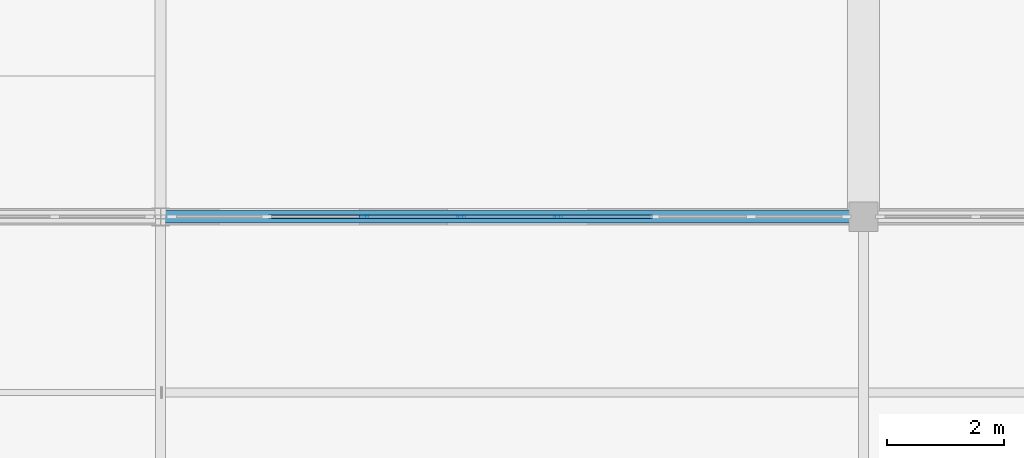
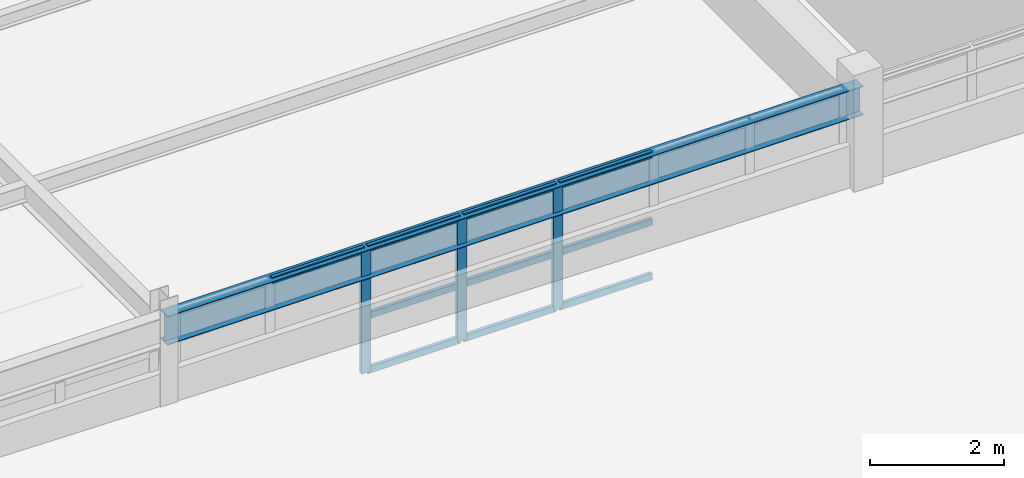
# One storey, part 72 of 226: 13 members, 1 beam, 1 element without a shape of its own.
"""IFC4 building model written with IfcOpenShell, lengths in metres."""

from ifc_helpers import new_model, si_unit, direction, frame, origin, origin_2d, place, context, subcontext, project, spatial, rectangle, i_section, extrude, material, layer, layer_set, material_profile, profile_set, type_object, element, aggregate, save


model = new_model("IFC4")

# Units and contexts
model_context = context("Model", 3, precision=1e-05, world=origin(), true_north=direction((0.0, 1.0)))
body_context = subcontext(model_context, "Body", "Model", "MODEL_VIEW")
ifc_project = project(units=[si_unit("LENGTHUNIT", "METRE"), si_unit("AREAUNIT", "SQUARE_METRE"), si_unit("VOLUMEUNIT", "CUBIC_METRE"), si_unit("PLANEANGLEUNIT", "RADIAN"), si_unit("MASSUNIT", "GRAM", prefix="KILO")], contexts=[model_context])

# Site, building, storey
site_placement = place(None, origin())
site = spatial("IfcSite", under=ifc_project, at=site_placement, CompositionType="ELEMENT")
building_placement = place(site_placement, origin())
building = spatial("IfcBuilding", under=site, at=building_placement, Name="Tarnwether General Hospital", CompositionType="ELEMENT")
storey_placement = place(building_placement, frame((0.0, 0.0, 4.800048828125)))
storey = spatial("IfcBuildingStorey", under=building, at=storey_placement, Name="L01", CompositionType="ELEMENT", Elevation=4.800048828125)

# Beam
ifc_material_1 = material(Name="Steel Grade 350 (350 MPa)", Category="steel")
ifc_material_profile_1 = material_profile(ifc_material_1, i_section(OverallWidth=0.208984375, OverallDepth=0.528076171875, WebThickness=0.009521484375, FlangeThickness=0.01318359375, at=origin_2d()), Name="530UB82.0")
ifc_profile_set_1 = profile_set([ifc_material_profile_1], Name="Steel Grade 350 (350 MPa)")
beam_type = type_object("IfcBeamType", Name="BM-G07", PredefinedType="BEAM", material=ifc_profile_set_1)
beam_placement = place(storey_placement, frame((24.0, 45.60009765625, 4.176025390625), z_axis=(1.0, 0.0, 0.0), x_axis=(0.0, 1.0, 0.0)))
element("IfcBeam", 1, at=beam_placement, inside=storey, type_object=beam_type, Name="Primary Girder BMG-L01-2400_4560-3600_4560-1075", PredefinedType="BEAM", context=body_context, shape_type="SweptSolid", body=[
    extrude(i_section(OverallWidth=0.208984375, OverallDepth=0.528076171875, WebThickness=0.009521484375, FlangeThickness=0.01318359375, at=origin_2d()), origin(), (0.0, 0.0, 1.0), 12.0),
])

# Curtain wall, members
ifc_material_2 = material(Name="Anodised aluminium", Category="aluminium")
ifc_layer = layer(ifc_material_2, 0.159912109375)
ifc_layer_set = layer_set([ifc_layer], Name="Anodised aluminium")
curtain_wall_type = type_object("IfcCurtainWallType", Name="CW-24", PredefinedType="NOTDEFINED", material=ifc_layer_set)
curtain_wall_placement = place(storey_placement, origin())
curtain_wall = element("IfcCurtainWall", 2, at=curtain_wall_placement, inside=storey, type_object=curtain_wall_type, Name="Curtain Wall CWG-L01-357_456-0349", PredefinedType="NOTDEFINED")
ifc_material_3 = material(Name="Anodised aluminium", Category="aluminium")
ifc_material_profile_2 = material_profile(ifc_material_3, rectangle(XDim=0.06005859375, YDim=0.159912109375, at=origin_2d()), Name="ALU-MUL-60x160")
ifc_profile_set_2 = profile_set([ifc_material_profile_2], Name="Anodised aluminium")
member_type_1 = type_object("IfcMemberType", Name="CW-ML1", PredefinedType="MULLION", material=ifc_profile_set_2)
member_1_placement = place(storey_placement, frame((30.7783203125, 45.60009765625, 2.14990234375), z_axis=(0.0, 0.0, 1.0), x_axis=(0.0, -1.0, 0.0)))
member_1 = element("IfcMember", 3, at=member_1_placement, type_object=member_type_1, Name="CW-24 mullion 4", PredefinedType="MULLION", context=body_context, shape_type="SweptSolid", body=[
    extrude(rectangle(XDim=0.06005859375, YDim=0.159912109375, at=origin_2d()), origin(), (0.0, 0.0, 1.0), 2.280029296875),
])
member_2_placement = place(storey_placement, frame((29.123779296875, 45.60009765625, 2.14990234375), z_axis=(0.0, 0.0, 1.0), x_axis=(0.0, -1.0, 0.0)))
member_2 = element("IfcMember", 4, at=member_2_placement, type_object=member_type_1, Name="CW-24 mullion 5", PredefinedType="MULLION", context=body_context, shape_type="SweptSolid", body=[
    extrude(rectangle(XDim=0.06005859375, YDim=0.159912109375, at=origin_2d()), origin(), (0.0, 0.0, 1.0), 2.280029296875),
])
member_3_placement = place(storey_placement, frame((27.46923828125, 45.60009765625, 2.14990234375), z_axis=(0.0, 0.0, 1.0), x_axis=(0.0, -1.0, 0.0)))
member_3 = element("IfcMember", 5, at=member_3_placement, type_object=member_type_1, Name="CW-24 mullion 6", PredefinedType="MULLION", context=body_context, shape_type="SweptSolid", body=[
    extrude(rectangle(XDim=0.06005859375, YDim=0.159912109375, at=origin_2d()), origin(), (0.0, 0.0, 1.0), 2.280029296875),
])
ifc_material_4 = material(Name="Anodised aluminium", Category="aluminium")
ifc_material_profile_3 = material_profile(ifc_material_4, rectangle(XDim=0.06005859375, YDim=0.1201171875, at=origin_2d()), Name="ALU-TRN-60x120")
ifc_profile_set_3 = profile_set([ifc_material_profile_3], Name="Anodised aluminium")
member_type_2 = type_object("IfcMemberType", Name="CW-TR1", PredefinedType="USERDEFINED", material=ifc_profile_set_3)
member_4_placement = place(storey_placement, frame((32.40283203125, 45.60009765625, 2.179931640625), z_axis=(-1.0, 0.0, 0.0), x_axis=(0.0, -1.0, 0.0)))
member_4 = element("IfcMember", 6, at=member_4_placement, type_object=member_type_2, Name="CW-24 transom 3.1", ObjectType="TRANSOM", PredefinedType="USERDEFINED", context=body_context, shape_type="SweptSolid", body=[
    extrude(rectangle(XDim=0.06005859375, YDim=0.1201171875, at=origin_2d()), origin(), (0.0, 0.0, 1.0), 1.594482421875),
])
member_5_placement = place(storey_placement, frame((32.40283203125, 45.60009765625, 3.176025390625), z_axis=(-1.0, 0.0, 0.0), x_axis=(0.0, -1.0, 0.0)))
member_5 = element("IfcMember", 7, at=member_5_placement, type_object=member_type_2, Name="CW-24 transom 3.2", ObjectType="TRANSOM", PredefinedType="USERDEFINED", context=body_context, shape_type="SweptSolid", body=[
    extrude(rectangle(XDim=0.06005859375, YDim=0.1201171875, at=origin_2d()), origin(), (0.0, 0.0, 1.0), 1.594482421875),
])
member_6_placement = place(storey_placement, frame((32.40283203125, 45.60009765625, 4.39990234375), z_axis=(-1.0, 0.0, 0.0), x_axis=(0.0, -1.0, 0.0)))
member_6 = element("IfcMember", 8, at=member_6_placement, type_object=member_type_2, Name="CW-24 transom 3.3", ObjectType="TRANSOM", PredefinedType="USERDEFINED", context=body_context, shape_type="SweptSolid", body=[
    extrude(rectangle(XDim=0.06005859375, YDim=0.1201171875, at=origin_2d()), origin(), (0.0, 0.0, 1.0), 1.594482421875),
])
member_7_placement = place(storey_placement, frame((30.748291015625, 45.60009765625, 2.179931640625), z_axis=(-1.0, 0.0, 0.0), x_axis=(0.0, -1.0, 0.0)))
member_7 = element("IfcMember", 9, at=member_7_placement, type_object=member_type_2, Name="CW-24 transom 4.1", ObjectType="TRANSOM", PredefinedType="USERDEFINED", context=body_context, shape_type="SweptSolid", body=[
    extrude(rectangle(XDim=0.06005859375, YDim=0.1201171875, at=origin_2d()), origin(), (0.0, 0.0, 1.0), 1.594482421875),
])
member_8_placement = place(storey_placement, frame((30.748291015625, 45.60009765625, 3.176025390625), z_axis=(-1.0, 0.0, 0.0), x_axis=(0.0, -1.0, 0.0)))
member_8 = element("IfcMember", 10, at=member_8_placement, type_object=member_type_2, Name="CW-24 transom 4.2", ObjectType="TRANSOM", PredefinedType="USERDEFINED", context=body_context, shape_type="SweptSolid", body=[
    extrude(rectangle(XDim=0.06005859375, YDim=0.1201171875, at=origin_2d()), origin(), (0.0, 0.0, 1.0), 1.594482421875),
])
member_9_placement = place(storey_placement, frame((30.748291015625, 45.60009765625, 4.39990234375), z_axis=(-1.0, 0.0, 0.0), x_axis=(0.0, -1.0, 0.0)))
member_9 = element("IfcMember", 11, at=member_9_placement, type_object=member_type_2, Name="CW-24 transom 4.3", ObjectType="TRANSOM", PredefinedType="USERDEFINED", context=body_context, shape_type="SweptSolid", body=[
    extrude(rectangle(XDim=0.06005859375, YDim=0.1201171875, at=origin_2d()), origin(), (0.0, 0.0, 1.0), 1.594482421875),
])
member_10_placement = place(storey_placement, frame((29.09375, 45.60009765625, 2.179931640625), z_axis=(-1.0, 0.0, 0.0), x_axis=(0.0, -1.0, 0.0)))
member_10 = element("IfcMember", 12, at=member_10_placement, type_object=member_type_2, Name="CW-24 transom 5.1", ObjectType="TRANSOM", PredefinedType="USERDEFINED", context=body_context, shape_type="SweptSolid", body=[
    extrude(rectangle(XDim=0.06005859375, YDim=0.1201171875, at=origin_2d()), origin(), (0.0, 0.0, 1.0), 1.5947265625),
])
member_11_placement = place(storey_placement, frame((29.09375, 45.60009765625, 3.176025390625), z_axis=(-1.0, 0.0, 0.0), x_axis=(0.0, -1.0, 0.0)))
member_11 = element("IfcMember", 13, at=member_11_placement, type_object=member_type_2, Name="CW-24 transom 5.2", ObjectType="TRANSOM", PredefinedType="USERDEFINED", context=body_context, shape_type="SweptSolid", body=[
    extrude(rectangle(XDim=0.06005859375, YDim=0.1201171875, at=origin_2d()), origin(), (0.0, 0.0, 1.0), 1.5947265625),
])
member_12_placement = place(storey_placement, frame((29.09375, 45.60009765625, 4.39990234375), z_axis=(-1.0, 0.0, 0.0), x_axis=(0.0, -1.0, 0.0)))
member_12 = element("IfcMember", 14, at=member_12_placement, type_object=member_type_2, Name="CW-24 transom 5.3", ObjectType="TRANSOM", PredefinedType="USERDEFINED", context=body_context, shape_type="SweptSolid", body=[
    extrude(rectangle(XDim=0.06005859375, YDim=0.1201171875, at=origin_2d()), origin(), (0.0, 0.0, 1.0), 1.5947265625),
])
member_13_placement = place(storey_placement, frame((27.439208984375, 45.60009765625, 4.39990234375), z_axis=(-1.0, 0.0, 0.0), x_axis=(0.0, -1.0, 0.0)))
member_13 = element("IfcMember", 15, at=member_13_placement, type_object=member_type_2, Name="CW-24 transom 6.3", ObjectType="TRANSOM", PredefinedType="USERDEFINED", context=body_context, shape_type="SweptSolid", body=[
    extrude(rectangle(XDim=0.06005859375, YDim=0.1201171875, at=origin_2d()), origin(), (0.0, 0.0, 1.0), 1.5947265625),
])
aggregate(curtain_wall, [member_1, member_2, member_3, member_4, member_5, member_6, member_7, member_8, member_9, member_10, member_11, member_12, member_13])

save(model, "model.ifc")
